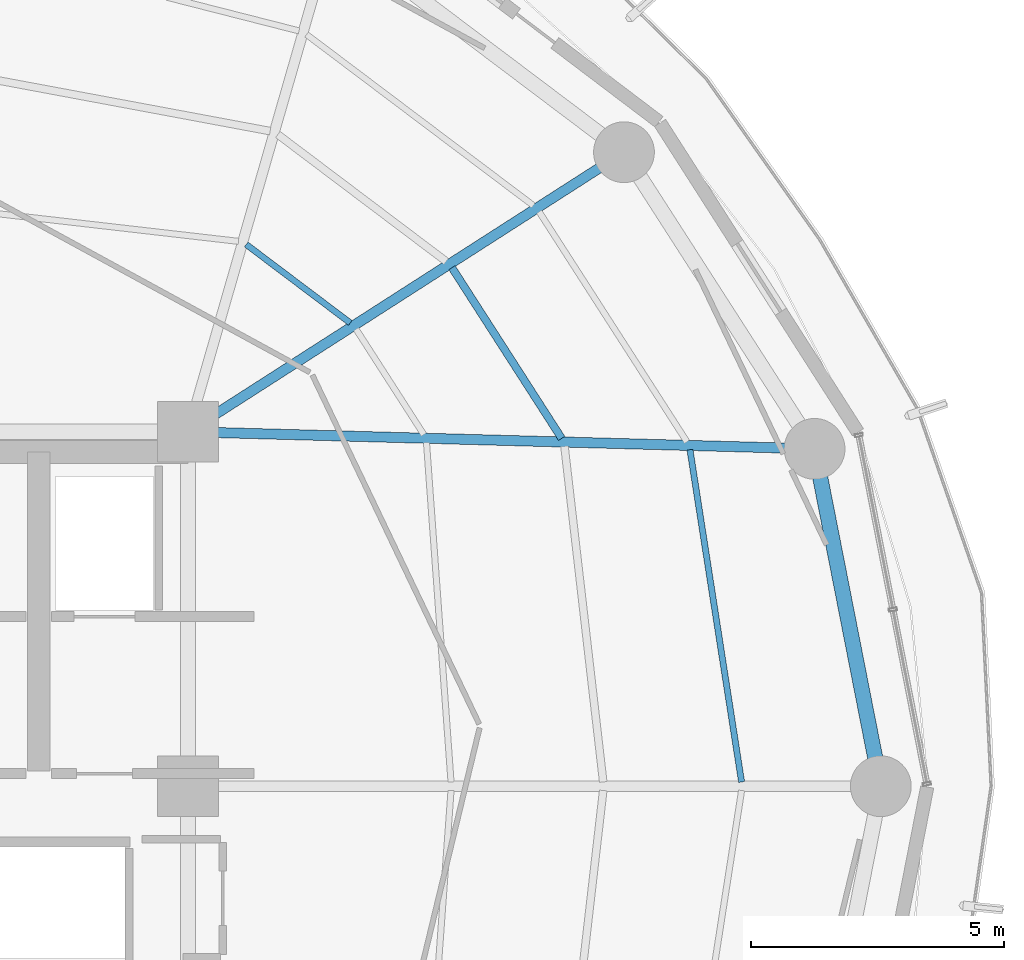
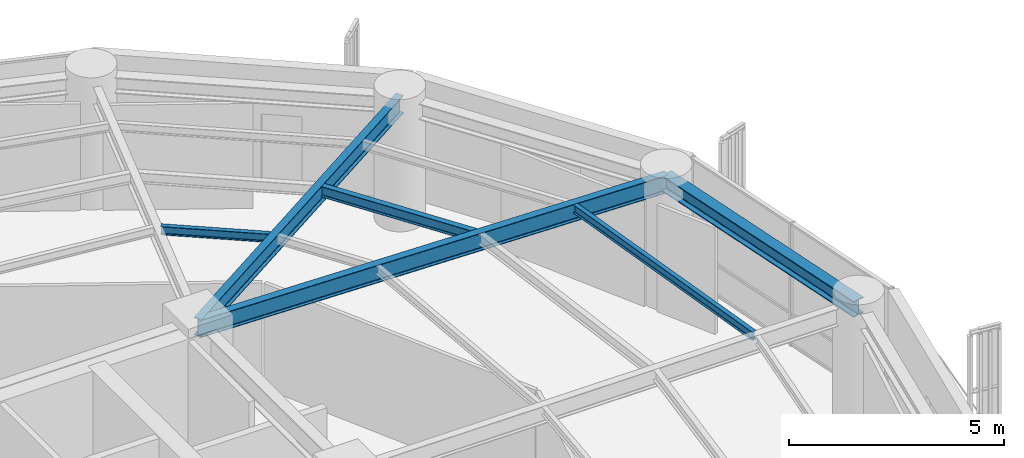
# One storey, part 14 of 28: 6 beams.
"""IFC4 building model written with IfcOpenShell, lengths in metres."""

from ifc_helpers import new_model, si_unit, direction, frame, origin, origin_2d, place, context, subcontext, project, spatial, i_section, extrude, material, material_profile, profile_set, type_object, element, save


model = new_model("IFC4")

# Units and contexts
model_context = context("Model", 3, precision=1e-05, world=origin(), true_north=direction((0.0, 1.0)))
body_context = subcontext(model_context, "Body", "Model", "MODEL_VIEW")
ifc_project = project(units=[si_unit("LENGTHUNIT", "METRE"), si_unit("AREAUNIT", "SQUARE_METRE"), si_unit("VOLUMEUNIT", "CUBIC_METRE"), si_unit("PLANEANGLEUNIT", "RADIAN"), si_unit("MASSUNIT", "GRAM", prefix="KILO")], contexts=[model_context])

# Site, building, storey
site_placement = place(None, origin())
site = spatial("IfcSite", under=ifc_project, at=site_placement, CompositionType="ELEMENT")
building_placement = place(site_placement, origin())
building = spatial("IfcBuilding", under=site, at=building_placement, Name="Kelanora Arch Commons", CompositionType="ELEMENT")
storey_placement = place(building_placement, frame((0.0, 0.0, 139.35009765625)))
storey = spatial("IfcBuildingStorey", under=building, at=storey_placement, Name="L35", CompositionType="ELEMENT", Elevation=139.35009765625)

# Beams
ifc_material = material(Name="Steel S355", Category="steel")
ifc_material_profile_1 = material_profile(ifc_material, i_section(OverallWidth=0.14990234375, OverallDepth=0.300048828125, WebThickness=0.007080078125, FlangeThickness=0.0107421875, FilletRadius=0.014892578125, at=origin_2d()), Name="IPE300")
ifc_profile_set_1 = profile_set([ifc_material_profile_1], Name="Steel S355")
beam_type_1 = type_object("IfcBeamType", Name="BM-JST-01", PredefinedType="JOIST", material=ifc_profile_set_1)
beam_1_placement = place(storey_placement, frame((89.377685546875, 64.869140625, 3.33984375), z_axis=(-0.540594434398, 0.841283339606, 0.0), x_axis=(-0.841283339606, -0.540594434398, 0.0)))
element("IfcBeam", 1, at=beam_1_placement, inside=storey, type_object=beam_type_1, Name="Secondary Chord Joist BJB-02 L35", PredefinedType="JOIST", context=body_context, shape_type="SweptSolid", body=[
    extrude(i_section(OverallWidth=0.14990234375, OverallDepth=0.300048828125, WebThickness=0.007080078125, FlangeThickness=0.0107421875, FilletRadius=0.014892578125, at=origin_2d()), origin(), (0.0, 0.0, 1.0), 4.008544921875),
])
ifc_material_profile_2 = material_profile(ifc_material, i_section(OverallWidth=0.1201171875, OverallDepth=0.239990234375, WebThickness=0.006103515625, FlangeThickness=0.009765625, FilletRadius=0.014892578125, at=origin_2d()), Name="IPE240")
ifc_profile_set_2 = profile_set([ifc_material_profile_2], Name="Steel S355")
beam_type_2 = type_object("IfcBeamType", Name="BM-JST-02", PredefinedType="JOIST", material=ifc_profile_set_2)
beam_2_placement = place(storey_placement, frame((92.930908203125, 58.083984375, 3.369873046875), z_axis=(-0.153562625853, 0.988138917329, 0.0), x_axis=(-0.988138917329, -0.153562625853, 0.0)))
element("IfcBeam", 2, at=beam_2_placement, inside=storey, type_object=beam_type_2, Name="Secondary Chord Joist BJC-00 L35", PredefinedType="JOIST", context=body_context, shape_type="SweptSolid", body=[
    extrude(i_section(OverallWidth=0.1201171875, OverallDepth=0.239990234375, WebThickness=0.006103515625, FlangeThickness=0.009765625, FilletRadius=0.014892578125, at=origin_2d()), origin(), (0.0, 0.0, 1.0), 6.640869140625),
])
beam_3_placement = place(storey_placement, frame((85.203125, 67.1494140625, 3.369873046875), z_axis=(-0.798484118859, 0.602015873487, 0.0), x_axis=(-0.602015873487, -0.798484118859, 0.0)))
element("IfcBeam", 3, at=beam_3_placement, inside=storey, type_object=beam_type_2, Name="Secondary Chord Joist BJA-04 L35", PredefinedType="JOIST", context=body_context, shape_type="SweptSolid", body=[
    extrude(i_section(OverallWidth=0.1201171875, OverallDepth=0.239990234375, WebThickness=0.006103515625, FlangeThickness=0.009765625, FilletRadius=0.014892578125, at=origin_2d()), origin(), (0.0, 0.0, 1.0), 2.57470703125),
])
ifc_material_profile_3 = material_profile(ifc_material, i_section(OverallWidth=0.199951171875, OverallDepth=0.5, WebThickness=0.01025390625, FlangeThickness=0.01611328125, FilletRadius=0.02099609375, at=origin_2d()), Name="IPE500")
ifc_profile_set_3 = profile_set([ifc_material_profile_3], Name="Steel S355")
beam_type_3 = type_object("IfcBeamType", Name="BM-RAD-Z3", PredefinedType="BEAM", material=ifc_profile_set_3)
beam_4_placement = place(storey_placement, frame((82.0, 65.0, 3.239990234375), z_axis=(0.999628374924, -0.027260081577, 0.0), x_axis=(0.027260081577, 0.999628374924, 0.0)))
element("IfcBeam", 4, at=beam_4_placement, inside=storey, type_object=beam_type_3, Name="Radial Floor Girder BR-02 L35", PredefinedType="BEAM", context=body_context, shape_type="SweptSolid", body=[
    extrude(i_section(OverallWidth=0.199951171875, OverallDepth=0.5, WebThickness=0.01025390625, FlangeThickness=0.01611328125, FilletRadius=0.02099609375, at=origin_2d()), origin(), (0.0, 0.0, 1.0), 12.377197265625),
])
beam_5_placement = place(storey_placement, frame((82.0, 65.0, 3.239990234375), z_axis=(0.841719465748, 0.539915123868, 0.0), x_axis=(-0.539915123868, 0.841719465748, 0.0)))
element("IfcBeam", 5, at=beam_5_placement, inside=storey, type_object=beam_type_3, Name="Radial Floor Girder BR-04 L35", PredefinedType="BEAM", context=body_context, shape_type="SweptSolid", body=[
    extrude(i_section(OverallWidth=0.199951171875, OverallDepth=0.5, WebThickness=0.01025390625, FlangeThickness=0.01611328125, FilletRadius=0.02099609375, at=origin_2d()), origin(), (0.0, 0.0, 1.0), 10.2265625),
])
ifc_material_profile_4 = material_profile(ifc_material, i_section(OverallWidth=0.300048828125, OverallDepth=0.449951171875, WebThickness=0.013916015625, FlangeThickness=0.02587890625, FilletRadius=0.027099609375, at=origin_2d()), Name="HEB450")
ifc_profile_set_4 = profile_set([ifc_material_profile_4], Name="Steel S355")
beam_type_4 = type_object("IfcBeamType", Name="BM-SPN-Z3", PredefinedType="SPANDREL", material=ifc_profile_set_4)
beam_6_placement = place(storey_placement, frame((95.679931640625, 58.0, 3.264892578125), z_axis=(-0.192553643556, 0.981286448675, 0.0), x_axis=(-0.981286448675, -0.192553643556, 0.0)))
element("IfcBeam", 6, at=beam_6_placement, inside=storey, type_object=beam_type_4, Name="Perimeter Spandrel Beam BS-00 L35", PredefinedType="SPANDREL", context=body_context, shape_type="SweptSolid", body=[
    extrude(i_section(OverallWidth=0.300048828125, OverallDepth=0.449951171875, WebThickness=0.013916015625, FlangeThickness=0.02587890625, FilletRadius=0.027099609375, at=origin_2d()), origin(), (0.0, 0.0, 1.0), 6.78955078125),
])

save(model, "model.ifc")
